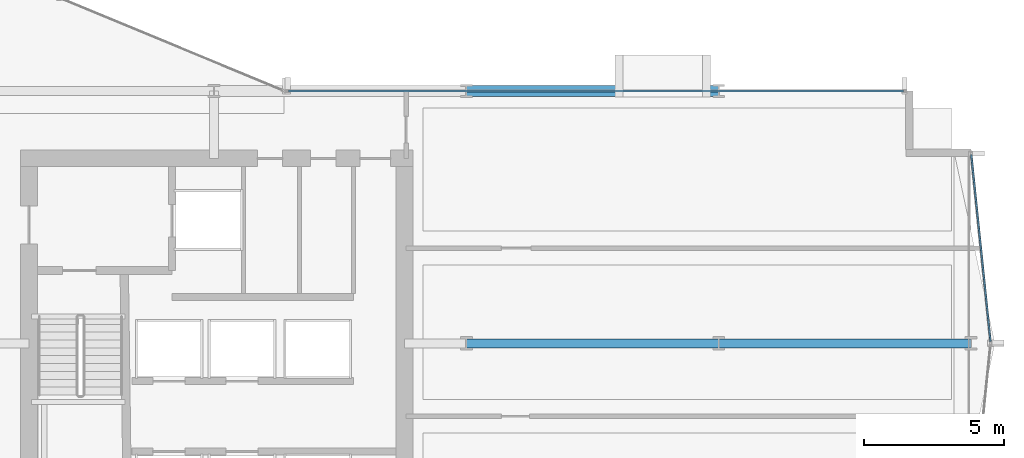
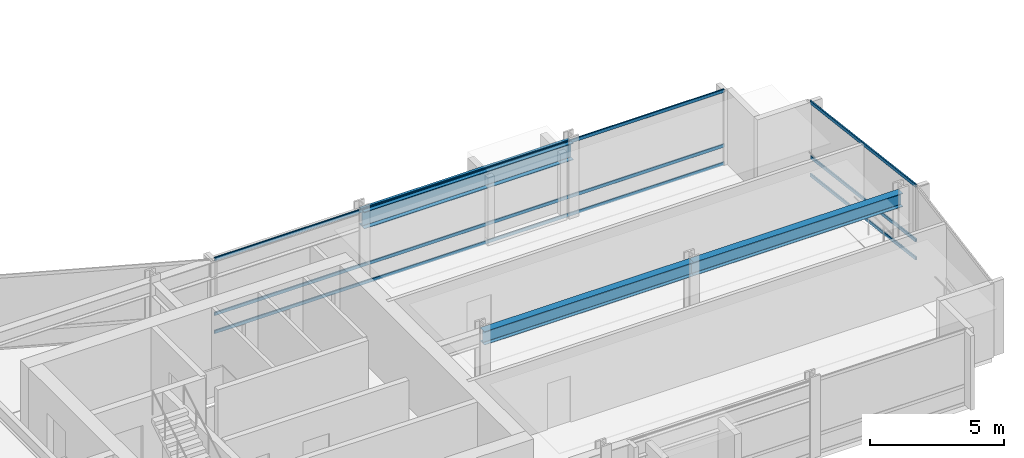
# One storey, part 16 of 34: 6 members, 3 beams, 2 elements without a shape of their own.
"""IFC4 building model written with IfcOpenShell, lengths in metres."""

from ifc_helpers import new_model, si_unit, direction, frame, origin, origin_2d, place, context, subcontext, project, spatial, hollow_rectangle, i_section, extrude, material, layer, layer_set, material_profile, profile_set, type_object, element, aggregate, save


model = new_model("IFC4")

# Units and contexts
model_context = context("Model", 3, precision=1e-05, world=origin(), true_north=direction((0.0, 1.0)))
body_context = subcontext(model_context, "Body", "Model", "MODEL_VIEW")
ifc_project = project(units=[si_unit("LENGTHUNIT", "METRE"), si_unit("AREAUNIT", "SQUARE_METRE"), si_unit("VOLUMEUNIT", "CUBIC_METRE"), si_unit("PLANEANGLEUNIT", "RADIAN"), si_unit("MASSUNIT", "GRAM", prefix="KILO")], contexts=[model_context])

# Site, building, storey
site_placement = place(None, origin())
site = spatial("IfcSite", under=ifc_project, at=site_placement, CompositionType="ELEMENT")
building_placement = place(site_placement, origin())
building = spatial("IfcBuilding", under=site, at=building_placement, Name="Solvaryn Broadcast Tower", CompositionType="ELEMENT")
storey_placement = place(building_placement, frame((0.0, 0.0, 96.5)))
storey = spatial("IfcBuildingStorey", under=building, at=storey_placement, Name="L23", CompositionType="ELEMENT", Elevation=96.5)

# Beams
ifc_material_1 = material(Name="Steel ASTM A992 Grade 50", Category="steel")
ifc_material_profile_1 = material_profile(ifc_material_1, i_section(OverallWidth=0.323974609375, OverallDepth=0.611083984375, WebThickness=0.0126953125, FlangeThickness=0.01904296875, FilletRadius=0.014892578125, at=origin_2d()))
ifc_profile_set_1 = profile_set([ifc_material_profile_1], Name="Steel ASTM A992 Grade 50")
beam_type_1 = type_object("IfcBeamType", Name="BM-B1-W24X104", PredefinedType="BEAM", material=ifc_profile_set_1)
for number, where, z_axis, x_axis, name in (
    (1, (45.0, 18.0, 3.064453125), (1.0, 0.0, 0.0), (0.0, 1.0, 0.0), "L23 Primary Beam X (45-54 @ Y=18)"),
    (2, (54.0, 18.0, 3.064453125), (1.0, 0.0, 0.0), (0.0, 1.0, 0.0), "L23 Primary Beam X (54-63 @ Y=18)"),
):
    element("IfcBeam", number, at=place(storey_placement, frame(where, z_axis=z_axis, x_axis=x_axis)), inside=storey, type_object=beam_type_1, Name=name, PredefinedType="BEAM", context=body_context, shape_type="SweptSolid", body=[
        extrude(i_section(OverallWidth=0.323974609375, OverallDepth=0.611083984375, WebThickness=0.0126953125, FlangeThickness=0.01904296875, FilletRadius=0.014892578125, at=origin_2d()), origin(), (0.0, 0.0, 1.0), 9.0),
    ])
ifc_material_2 = material(Name="Steel ASTM A992 Grade 50", Category="steel")
ifc_material_profile_2 = material_profile(ifc_material_2, i_section(OverallWidth=0.381103515625, OverallDepth=0.77294921875, WebThickness=0.0166015625, FlangeThickness=0.027099609375, FilletRadius=0.01806640625, at=origin_2d()))
ifc_profile_set_2 = profile_set([ifc_material_profile_2], Name="Steel ASTM A992 Grade 50")
beam_type_2 = type_object("IfcBeamType", Name="BM-SP1-W30X173", PredefinedType="USERDEFINED", material=ifc_profile_set_2)
beam_placement = place(storey_placement, frame((45.0, 27.0, 2.9833984375), z_axis=(1.0, 0.0, 0.0), x_axis=(0.0, 1.0, 0.0)))
element("IfcBeam", 3, at=beam_placement, inside=storey, type_object=beam_type_2, Name="L23 Spandrel Beam X (45-54 @ Y=27)", ObjectType="SPANDREL", PredefinedType="USERDEFINED", context=body_context, shape_type="SweptSolid", body=[
    extrude(i_section(OverallWidth=0.381103515625, OverallDepth=0.77294921875, WebThickness=0.0166015625, FlangeThickness=0.027099609375, FilletRadius=0.01806640625, at=origin_2d()), origin(), (0.0, 0.0, 1.0), 9.0),
])

# Curtain wall, members
ifc_material_3 = material(Name="Aluminium and Terracotta Unitised Curtain Wall", Category="masonry")
ifc_layer = layer(ifc_material_3, 0.199951171875)
ifc_layer_set = layer_set([ifc_layer], Name="CW-SYS2-LOWMID")
curtain_wall_type = type_object("IfcCurtainWallType", Name="CW-SYS2-LOWMID", PredefinedType="NOTDEFINED", material=ifc_layer_set)
curtain_wall_1_placement = place(storey_placement, origin())
curtain_wall_1 = element("IfcCurtainWall", 4, at=curtain_wall_1_placement, inside=storey, type_object=curtain_wall_type, Name="L23 Curtain Wall ET1", PredefinedType="NOTDEFINED")
ifc_material_4 = material(Name="Anodised Aluminium 6063-T6", Category="aluminium")
ifc_material_profile_3 = material_profile(ifc_material_4, hollow_rectangle(XDim=0.06494140625, YDim=0.14990234375, WallThickness=0.00390625, InnerFilletRadius=0.00390625, OuterFilletRadius=0.008056640625, at=origin_2d()))
ifc_profile_set_3 = profile_set([ifc_material_profile_3], Name="Anodised Aluminium 6063-T6")
member_type = type_object("IfcMemberType", Name="CW-TRN-150", PredefinedType="USERDEFINED", material=ifc_profile_set_3)
member_1_placement = place(storey_placement, frame((63.006103515625, 24.740234375, 0.030029296875), z_axis=(0.102404277363, -0.994742863245, 0.0), x_axis=(0.994742863245, 0.102404277363, 0.0)))
member_1 = element("IfcMember", 5, at=member_1_placement, type_object=member_type, Name="CWS2 transom 1.1", ObjectType="TRANSOM", PredefinedType="USERDEFINED", context=body_context, shape_type="SweptSolid", body=[
    extrude(hollow_rectangle(XDim=0.06494140625, YDim=0.14990234375, WallThickness=0.00390625, InnerFilletRadius=0.00390625, OuterFilletRadius=0.008056640625, at=origin_2d()), origin(), (0.0, 0.0, 1.0), 6.716064453125),
])
member_2_placement = place(storey_placement, frame((63.006103515625, 24.740234375, 0.85009765625), z_axis=(0.102404277363, -0.994742863245, 0.0), x_axis=(0.994742863245, 0.102404277363, 0.0)))
member_2 = element("IfcMember", 6, at=member_2_placement, type_object=member_type, Name="CWS2 transom 1.2", ObjectType="TRANSOM", PredefinedType="USERDEFINED", context=body_context, shape_type="SweptSolid", body=[
    extrude(hollow_rectangle(XDim=0.06494140625, YDim=0.14990234375, WallThickness=0.00390625, InnerFilletRadius=0.00390625, OuterFilletRadius=0.008056640625, at=origin_2d()), origin(), (0.0, 0.0, 1.0), 6.716064453125),
])
member_3_placement = place(storey_placement, frame((63.006103515625, 24.740234375, 3.340087890625), z_axis=(0.102404277363, -0.994742863245, 0.0), x_axis=(0.994742863245, 0.102404277363, 0.0)))
member_3 = element("IfcMember", 7, at=member_3_placement, type_object=member_type, Name="CWS2 transom 1.3", ObjectType="TRANSOM", PredefinedType="USERDEFINED", context=body_context, shape_type="SweptSolid", body=[
    extrude(hollow_rectangle(XDim=0.06494140625, YDim=0.14990234375, WallThickness=0.00390625, InnerFilletRadius=0.00390625, OuterFilletRadius=0.008056640625, at=origin_2d()), origin(), (0.0, 0.0, 1.0), 6.716064453125),
])
aggregate(curtain_wall_1, [member_1, member_2, member_3])

curtain_wall_2_placement = place(storey_placement, origin())
curtain_wall_2 = element("IfcCurtainWall", 8, at=curtain_wall_2_placement, inside=storey, type_object=curtain_wall_type, Name="L23 Curtain Wall IH", PredefinedType="NOTDEFINED")
member_4_placement = place(storey_placement, frame((38.659912109375, 27.0, 0.030029296875), z_axis=(1.0, 0.0, 0.0), x_axis=(0.0, 1.0, 0.0)))
member_4 = element("IfcMember", 9, at=member_4_placement, type_object=member_type, Name="CWS2 transom 1.1", ObjectType="TRANSOM", PredefinedType="USERDEFINED", context=body_context, shape_type="SweptSolid", body=[
    extrude(hollow_rectangle(XDim=0.06494140625, YDim=0.14990234375, WallThickness=0.00390625, InnerFilletRadius=0.00390625, OuterFilletRadius=0.008056640625, at=origin_2d()), origin(), (0.0, 0.0, 1.0), 21.93017578125),
])
member_5_placement = place(storey_placement, frame((38.659912109375, 27.0, 0.85009765625), z_axis=(1.0, 0.0, 0.0), x_axis=(0.0, 1.0, 0.0)))
member_5 = element("IfcMember", 10, at=member_5_placement, type_object=member_type, Name="CWS2 transom 1.2", ObjectType="TRANSOM", PredefinedType="USERDEFINED", context=body_context, shape_type="SweptSolid", body=[
    extrude(hollow_rectangle(XDim=0.06494140625, YDim=0.14990234375, WallThickness=0.00390625, InnerFilletRadius=0.00390625, OuterFilletRadius=0.008056640625, at=origin_2d()), origin(), (0.0, 0.0, 1.0), 21.93017578125),
])
member_6_placement = place(storey_placement, frame((38.659912109375, 27.0, 3.340087890625), z_axis=(1.0, 0.0, 0.0), x_axis=(0.0, 1.0, 0.0)))
member_6 = element("IfcMember", 11, at=member_6_placement, type_object=member_type, Name="CWS2 transom 1.3", ObjectType="TRANSOM", PredefinedType="USERDEFINED", context=body_context, shape_type="SweptSolid", body=[
    extrude(hollow_rectangle(XDim=0.06494140625, YDim=0.14990234375, WallThickness=0.00390625, InnerFilletRadius=0.00390625, OuterFilletRadius=0.008056640625, at=origin_2d()), origin(), (0.0, 0.0, 1.0), 21.93017578125),
])
aggregate(curtain_wall_2, [member_4, member_5, member_6])

save(model, "model.ifc")
